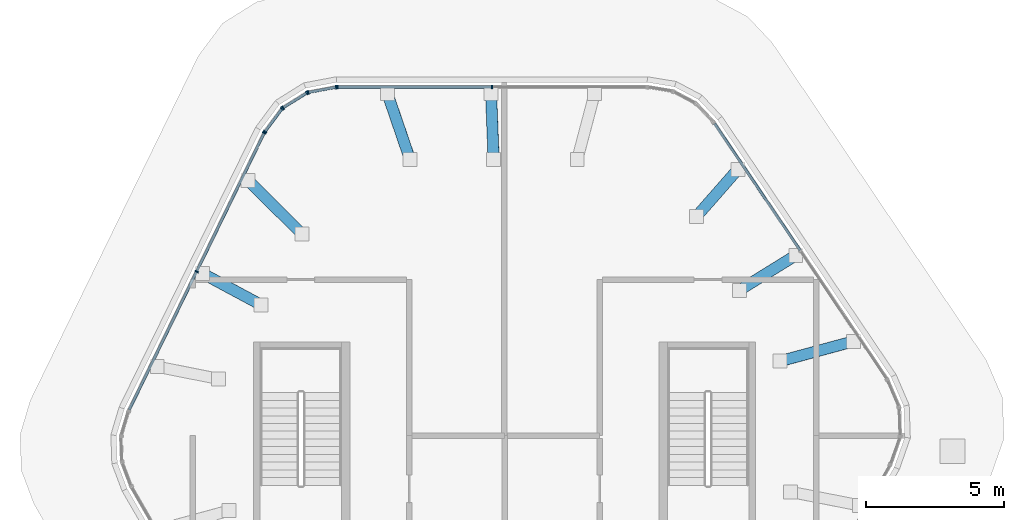
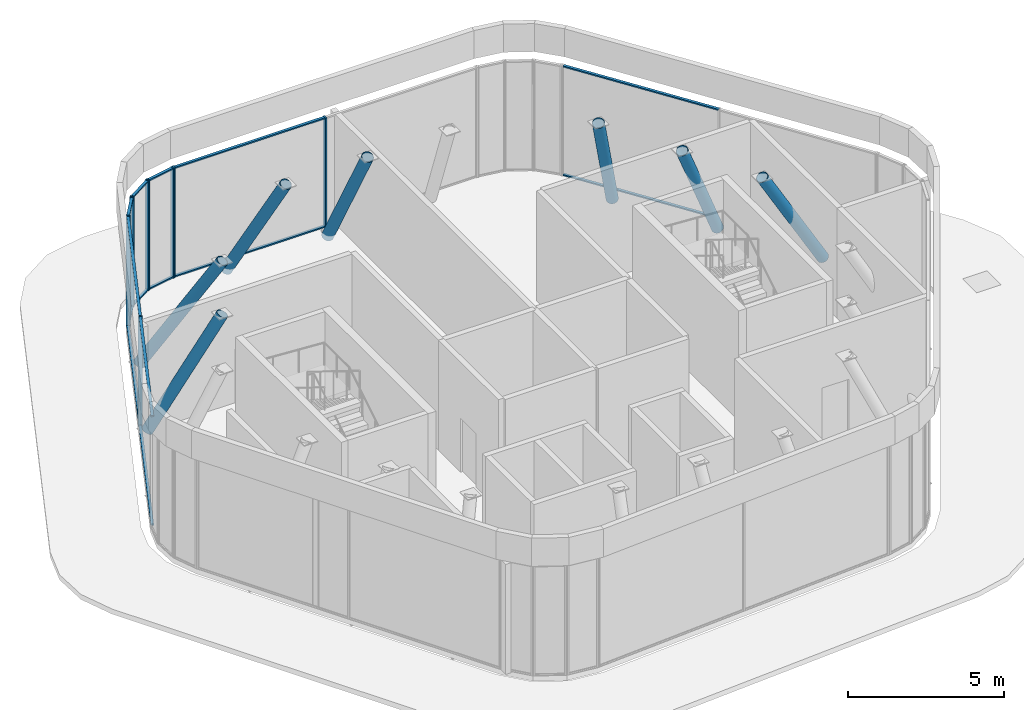
# One storey, part 3 of 9: 31 members, 6 elements without a shape of their own.
"""IFC4 building model written with IfcOpenShell, lengths in metres."""

from ifc_helpers import new_model, si_unit, direction, frame, origin, origin_2d, place, context, subcontext, project, spatial, rectangle, hollow_circle, extrude, material, material_profile, profile_set, type_object, element, aggregate, save


model = new_model("IFC4")

# Units and contexts
model_context = context("Model", 3, precision=1e-05, world=origin(), true_north=direction((0.0, 1.0)))
body_context = subcontext(model_context, "Body", "Model", "MODEL_VIEW")
ifc_project = project(units=[si_unit("LENGTHUNIT", "METRE"), si_unit("AREAUNIT", "SQUARE_METRE"), si_unit("VOLUMEUNIT", "CUBIC_METRE"), si_unit("PLANEANGLEUNIT", "RADIAN"), si_unit("MASSUNIT", "GRAM", prefix="KILO")], contexts=[model_context])

# Site, building, storey
site_placement = place(None, origin())
site = spatial("IfcSite", under=ifc_project, at=site_placement, CompositionType="ELEMENT")
building_placement = place(site_placement, origin())
building = spatial("IfcBuilding", under=site, at=building_placement, Name="Tarnside Tower", CompositionType="ELEMENT")
storey_placement = place(building_placement, frame((0.0, 0.0, 401.699951171875)))
storey = spatial("IfcBuildingStorey", under=building, at=storey_placement, Name="L95", CompositionType="ELEMENT", Elevation=401.699951171875)

# Curtain wall, members
ifc_material_1 = material(Name="Crown glazing wall", Category="glass")
curtain_wall_type = type_object("IfcCurtainWallType", Name="Crown glazing wall", PredefinedType="NOTDEFINED", material=ifc_material_1)
curtain_wall_1_placement = place(storey_placement, origin())
curtain_wall_1 = element("IfcCurtainWall", 1, at=curtain_wall_1_placement, inside=storey, type_object=curtain_wall_type, Name="Crown glazing L95 00", PredefinedType="NOTDEFINED")
ifc_material_2 = material(Name="Aluminium alloy 6063", Category="aluminium")
ifc_material_profile_1 = material_profile(ifc_material_2, rectangle(XDim=0.139892578125, YDim=0.050048828125, at=origin_2d()), Name="Crown glazing mullion 50 x 140")
ifc_profile_set_1 = profile_set([ifc_material_profile_1], Name="Aluminium alloy 6063")
member_type_1 = type_object("IfcMemberType", Name="Crown glazing mullion 50 x 140", PredefinedType="MULLION", material=ifc_profile_set_1)
member_1_placement = place(storey_placement, frame((-6.046875, 12.6298828125, 0.0), z_axis=(0.0, 0.0, 1.0), x_axis=(0.0, 1.0, 0.0)))
member_1 = element("IfcMember", 2, at=member_1_placement, type_object=member_type_1, Name="CW6 mullion 1", PredefinedType="MULLION", context=body_context, shape_type="SweptSolid", body=[
    extrude(rectangle(XDim=0.139892578125, YDim=0.050048828125, at=origin_2d()), origin(), (0.0, 0.0, 1.0), 4.300048828125),
])
member_2_placement = place(storey_placement, frame((-0.452880859375, 12.6298828125, 0.0), z_axis=(0.0, 0.0, 1.0), x_axis=(0.0, 1.0, 0.0)))
member_2 = element("IfcMember", 3, at=member_2_placement, type_object=member_type_1, Name="CW6 mullion 2", PredefinedType="MULLION", context=body_context, shape_type="SweptSolid", body=[
    extrude(rectangle(XDim=0.139892578125, YDim=0.050048828125, at=origin_2d()), origin(), (0.0, 0.0, 1.0), 4.300048828125),
])

curtain_wall_2_placement = place(storey_placement, origin())
curtain_wall_2 = element("IfcCurtainWall", 4, at=curtain_wall_2_placement, inside=storey, type_object=curtain_wall_type, Name="Crown glazing L95 20", PredefinedType="NOTDEFINED")
member_3_placement = place(storey_placement, frame((-11.1533203125, 5.943603515625, 0.0), z_axis=(0.0, 0.0, 1.0), x_axis=(-0.898794046307, 0.438371146773, 0.0)))
member_3 = element("IfcMember", 5, at=member_3_placement, type_object=member_type_1, Name="CW6 mullion 2", PredefinedType="MULLION", context=body_context, shape_type="SweptSolid", body=[
    extrude(rectangle(XDim=0.139892578125, YDim=0.050048828125, at=origin_2d()), origin(), (0.0, 0.0, 1.0), 4.300048828125),
])
member_4_placement = place(storey_placement, frame((-8.700927734375, 10.9716796875, 0.0), z_axis=(0.0, 0.0, 1.0), x_axis=(-0.898794046307, 0.438371146773, 0.0)))
member_4 = element("IfcMember", 6, at=member_4_placement, type_object=member_type_1, Name="CW6 mullion 3", PredefinedType="MULLION", context=body_context, shape_type="SweptSolid", body=[
    extrude(rectangle(XDim=0.139892578125, YDim=0.050048828125, at=origin_2d()), origin(), (0.0, 0.0, 1.0), 4.300048828125),
])

curtain_wall_3_placement = place(storey_placement, origin())
curtain_wall_3 = element("IfcCurtainWall", 7, at=curtain_wall_3_placement, inside=storey, type_object=curtain_wall_type, Name="Crown glazing L95 21", PredefinedType="NOTDEFINED")
member_5_placement = place(storey_placement, frame((-8.675048828125, 11.01416015625, 0.0), z_axis=(0.0, 0.0, 1.0), x_axis=(-0.802123192699, 0.597158591777, 0.0)))
member_5 = element("IfcMember", 8, at=member_5_placement, type_object=member_type_1, Name="CW6 mullion 1", PredefinedType="MULLION", context=body_context, shape_type="SweptSolid", body=[
    extrude(rectangle(XDim=0.139892578125, YDim=0.050048828125, at=origin_2d()), origin(), (0.0, 0.0, 1.0), 4.300048828125),
])
member_6_placement = place(storey_placement, frame((-8.056640625, 11.8447265625, 0.0), z_axis=(0.0, 0.0, 1.0), x_axis=(-0.802123192699, 0.597158591777, 0.0)))
member_6 = element("IfcMember", 9, at=member_6_placement, type_object=member_type_1, Name="CW6 mullion 2", PredefinedType="MULLION", context=body_context, shape_type="SweptSolid", body=[
    extrude(rectangle(XDim=0.139892578125, YDim=0.050048828125, at=origin_2d()), origin(), (0.0, 0.0, 1.0), 4.300048828125),
])

curtain_wall_4_placement = place(storey_placement, origin())
curtain_wall_4 = element("IfcCurtainWall", 10, at=curtain_wall_4_placement, inside=storey, type_object=curtain_wall_type, Name="Crown glazing L95 22", PredefinedType="NOTDEFINED")
member_7_placement = place(storey_placement, frame((-8.0205078125, 11.878173828125, 0.0), z_axis=(0.0, 0.0, 1.0), x_axis=(-0.529919264396, 0.848048096055, 0.0)))
member_7 = element("IfcMember", 11, at=member_7_placement, type_object=member_type_1, Name="CW6 mullion 1", PredefinedType="MULLION", context=body_context, shape_type="SweptSolid", body=[
    extrude(rectangle(XDim=0.139892578125, YDim=0.050048828125, at=origin_2d()), origin(), (0.0, 0.0, 1.0), 4.300048828125),
])
member_8_placement = place(storey_placement, frame((-7.159912109375, 12.415771484375, 0.0), z_axis=(0.0, 0.0, 1.0), x_axis=(-0.529919264396, 0.848048096055, 0.0)))
member_8 = element("IfcMember", 12, at=member_8_placement, type_object=member_type_1, Name="CW6 mullion 2", PredefinedType="MULLION", context=body_context, shape_type="SweptSolid", body=[
    extrude(rectangle(XDim=0.139892578125, YDim=0.050048828125, at=origin_2d()), origin(), (0.0, 0.0, 1.0), 4.300048828125),
])

curtain_wall_5_placement = place(storey_placement, origin())
curtain_wall_5 = element("IfcCurtainWall", 13, at=curtain_wall_5_placement, inside=storey, type_object=curtain_wall_type, Name="Crown glazing L95 23", PredefinedType="NOTDEFINED")
member_9_placement = place(storey_placement, frame((-7.1142578125, 12.43359375, 0.0), z_axis=(0.0, 0.0, 1.0), x_axis=(-0.185094922725, 0.982720646767, 0.0)))
member_9 = element("IfcMember", 14, at=member_9_placement, type_object=member_type_1, Name="CW6 mullion 1", PredefinedType="MULLION", context=body_context, shape_type="SweptSolid", body=[
    extrude(rectangle(XDim=0.139892578125, YDim=0.050048828125, at=origin_2d()), origin(), (0.0, 0.0, 1.0), 4.300048828125),
])
member_10_placement = place(storey_placement, frame((-6.096435546875, 12.62548828125, 0.0), z_axis=(0.0, 0.0, 1.0), x_axis=(-0.185094922725, 0.982720646767, 0.0)))
member_10 = element("IfcMember", 15, at=member_10_placement, type_object=member_type_1, Name="CW6 mullion 2", PredefinedType="MULLION", context=body_context, shape_type="SweptSolid", body=[
    extrude(rectangle(XDim=0.139892578125, YDim=0.050048828125, at=origin_2d()), origin(), (0.0, 0.0, 1.0), 4.300048828125),
])

# Member
ifc_material_profile_2 = material_profile(ifc_material_2, rectangle(XDim=0.10009765625, YDim=0.050048828125, at=origin_2d()), Name="Crown glazing transom 50 x 100")
ifc_profile_set_2 = profile_set([ifc_material_profile_2], Name="Aluminium alloy 6063")
member_type_2 = type_object("IfcMemberType", Name="Crown glazing transom 50 x 100", PredefinedType="USERDEFINED", material=ifc_profile_set_2)
member_11_placement = place(storey_placement, frame((-6.02197265625, 12.6298828125, 0.025146484375), z_axis=(1.0, 0.0, 0.0), x_axis=(0.0, 1.0, 0.0)))
member_11 = element("IfcMember", 16, at=member_11_placement, type_object=member_type_2, Name="CW6 transom 1.1", ObjectType="TRANSOM", PredefinedType="USERDEFINED", context=body_context, shape_type="SweptSolid", body=[
    extrude(rectangle(XDim=0.10009765625, YDim=0.050048828125, at=origin_2d()), origin(), (0.0, 0.0, 1.0), 5.544189453125),
])

member_12_placement = place(storey_placement, frame((-6.02197265625, 12.6298828125, 4.275146484375), z_axis=(1.0, 0.0, 0.0), x_axis=(0.0, 1.0, 0.0)))
member_12 = element("IfcMember", 17, at=member_12_placement, type_object=member_type_2, Name="CW6 transom 1.2", ObjectType="TRANSOM", PredefinedType="USERDEFINED", context=body_context, shape_type="SweptSolid", body=[
    extrude(rectangle(XDim=0.10009765625, YDim=0.050048828125, at=origin_2d()), origin(), (0.0, 0.0, 1.0), 5.544189453125),
])

aggregate(curtain_wall_1, [member_1, member_2, member_11, member_12])

# Curtain wall, members
curtain_wall_6_placement = place(storey_placement, origin())
curtain_wall_6 = element("IfcCurtainWall", 18, at=curtain_wall_6_placement, inside=storey, type_object=curtain_wall_type, Name="Crown glazing L95 04", PredefinedType="NOTDEFINED")
member_13_placement = place(storey_placement, frame((7.60986328125, 11.30419921875, 0.025146484375), z_axis=(0.55918390394, -0.829043642744, 0.0), x_axis=(0.829043642744, 0.55918390394, 0.0)))
member_13 = element("IfcMember", 19, at=member_13_placement, type_object=member_type_2, Name="CW6 transom 1.1", ObjectType="TRANSOM", PredefinedType="USERDEFINED", context=body_context, shape_type="SweptSolid", body=[
    extrude(rectangle(XDim=0.10009765625, YDim=0.050048828125, at=origin_2d()), origin(), (0.0, 0.0, 1.0), 5.5439453125),
])
member_14_placement = place(storey_placement, frame((7.60986328125, 11.30419921875, 4.275146484375), z_axis=(0.55918390394, -0.829043642744, 0.0), x_axis=(0.829043642744, 0.55918390394, 0.0)))
member_14 = element("IfcMember", 20, at=member_14_placement, type_object=member_type_2, Name="CW6 transom 1.2", ObjectType="TRANSOM", PredefinedType="USERDEFINED", context=body_context, shape_type="SweptSolid", body=[
    extrude(rectangle(XDim=0.10009765625, YDim=0.050048828125, at=origin_2d()), origin(), (0.0, 0.0, 1.0), 5.5439453125),
])
aggregate(curtain_wall_6, [member_13, member_14])

# Member
member_15_placement = place(storey_placement, frame((-13.594482421875, 0.938232421875, 0.025146484375), z_axis=(0.438349014397, 0.898804840651, 0.0), x_axis=(-0.898804840651, 0.438349014397, 0.0)))
member_15 = element("IfcMember", 21, at=member_15_placement, type_object=member_type_2, Name="CW6 transom 1.1", ObjectType="TRANSOM", PredefinedType="USERDEFINED", context=body_context, shape_type="SweptSolid", body=[
    extrude(rectangle(XDim=0.10009765625, YDim=0.050048828125, at=origin_2d()), origin(), (0.0, 0.0, 1.0), 5.5439453125),
])

member_16_placement = place(storey_placement, frame((-13.594482421875, 0.938232421875, 4.275146484375), z_axis=(0.438349014397, 0.898804840651, 0.0), x_axis=(-0.898804840651, 0.438349014397, 0.0)))
member_16 = element("IfcMember", 22, at=member_16_placement, type_object=member_type_2, Name="CW6 transom 1.2", ObjectType="TRANSOM", PredefinedType="USERDEFINED", context=body_context, shape_type="SweptSolid", body=[
    extrude(rectangle(XDim=0.10009765625, YDim=0.050048828125, at=origin_2d()), origin(), (0.0, 0.0, 1.0), 5.5439453125),
])

member_17_placement = place(storey_placement, frame((-11.142333984375, 5.966064453125, 0.025146484375), z_axis=(0.438367238579, 0.89879595245, 0.0), x_axis=(-0.89879595245, 0.438367238579, 0.0)))
member_17 = element("IfcMember", 23, at=member_17_placement, type_object=member_type_2, Name="CW6 transom 2.1", ObjectType="TRANSOM", PredefinedType="USERDEFINED", context=body_context, shape_type="SweptSolid", body=[
    extrude(rectangle(XDim=0.10009765625, YDim=0.050048828125, at=origin_2d()), origin(), (0.0, 0.0, 1.0), 5.544189453125),
])

member_18_placement = place(storey_placement, frame((-11.142333984375, 5.966064453125, 4.275146484375), z_axis=(0.438367238579, 0.89879595245, 0.0), x_axis=(-0.89879595245, 0.438367238579, 0.0)))
member_18 = element("IfcMember", 24, at=member_18_placement, type_object=member_type_2, Name="CW6 transom 2.2", ObjectType="TRANSOM", PredefinedType="USERDEFINED", context=body_context, shape_type="SweptSolid", body=[
    extrude(rectangle(XDim=0.10009765625, YDim=0.050048828125, at=origin_2d()), origin(), (0.0, 0.0, 1.0), 5.544189453125),
])

aggregate(curtain_wall_2, [member_3, member_4, member_15, member_16, member_17, member_18])

member_19_placement = place(storey_placement, frame((-8.66015625, 11.0341796875, 0.025146484375), z_axis=(0.597222071392, 0.802075929973, 0.0), x_axis=(-0.802075929973, 0.597222071392, 0.0)))
member_19 = element("IfcMember", 25, at=member_19_placement, type_object=member_type_2, Name="CW6 transom 1.1", ObjectType="TRANSOM", PredefinedType="USERDEFINED", context=body_context, shape_type="SweptSolid", body=[
    extrude(rectangle(XDim=0.10009765625, YDim=0.050048828125, at=origin_2d()), origin(), (0.0, 0.0, 1.0), 0.985595703125),
])

member_20_placement = place(storey_placement, frame((-8.66015625, 11.0341796875, 4.275146484375), z_axis=(0.597222071392, 0.802075929973, 0.0), x_axis=(-0.802075929973, 0.597222071392, 0.0)))
member_20 = element("IfcMember", 26, at=member_20_placement, type_object=member_type_2, Name="CW6 transom 1.2", ObjectType="TRANSOM", PredefinedType="USERDEFINED", context=body_context, shape_type="SweptSolid", body=[
    extrude(rectangle(XDim=0.10009765625, YDim=0.050048828125, at=origin_2d()), origin(), (0.0, 0.0, 1.0), 0.985595703125),
])

aggregate(curtain_wall_3, [member_5, member_6, member_19, member_20])

member_21_placement = place(storey_placement, frame((-7.999267578125, 11.891357421875, 0.025146484375), z_axis=(0.848040953676, 0.529930694419, 0.0), x_axis=(-0.529930694419, 0.848040953676, 0.0)))
member_21 = element("IfcMember", 27, at=member_21_placement, type_object=member_type_2, Name="CW6 transom 1.1", ObjectType="TRANSOM", PredefinedType="USERDEFINED", context=body_context, shape_type="SweptSolid", body=[
    extrude(rectangle(XDim=0.10009765625, YDim=0.050048828125, at=origin_2d()), origin(), (0.0, 0.0, 1.0), 0.964599609375),
])

member_22_placement = place(storey_placement, frame((-7.999267578125, 11.891357421875, 4.275146484375), z_axis=(0.848040953676, 0.529930694419, 0.0), x_axis=(-0.529930694419, 0.848040953676, 0.0)))
member_22 = element("IfcMember", 28, at=member_22_placement, type_object=member_type_2, Name="CW6 transom 1.2", ObjectType="TRANSOM", PredefinedType="USERDEFINED", context=body_context, shape_type="SweptSolid", body=[
    extrude(rectangle(XDim=0.10009765625, YDim=0.050048828125, at=origin_2d()), origin(), (0.0, 0.0, 1.0), 0.964599609375),
])

aggregate(curtain_wall_4, [member_7, member_8, member_21, member_22])

member_23_placement = place(storey_placement, frame((-7.089599609375, 12.438232421875, 0.025146484375), z_axis=(0.982683786926, 0.185290514903, 0.0), x_axis=(-0.185290514903, 0.982683786926, 0.0)))
member_23 = element("IfcMember", 29, at=member_23_placement, type_object=member_type_2, Name="CW6 transom 1.1", ObjectType="TRANSOM", PredefinedType="USERDEFINED", context=body_context, shape_type="SweptSolid", body=[
    extrude(rectangle(XDim=0.10009765625, YDim=0.050048828125, at=origin_2d()), origin(), (0.0, 0.0, 1.0), 0.985595703125),
])

member_24_placement = place(storey_placement, frame((-7.089599609375, 12.438232421875, 4.275146484375), z_axis=(0.982683786926, 0.185290514903, 0.0), x_axis=(-0.185290514903, 0.982683786926, 0.0)))
member_24 = element("IfcMember", 30, at=member_24_placement, type_object=member_type_2, Name="CW6 transom 1.2", ObjectType="TRANSOM", PredefinedType="USERDEFINED", context=body_context, shape_type="SweptSolid", body=[
    extrude(rectangle(XDim=0.10009765625, YDim=0.050048828125, at=origin_2d()), origin(), (0.0, 0.0, 1.0), 0.985595703125),
])

aggregate(curtain_wall_5, [member_9, member_10, member_23, member_24])

# Members
ifc_material_3 = material(Name="Steel S355", Category="steel")
ifc_material_profile_3 = material_profile(ifc_material_3, hollow_circle(Radius=0.203125, WallThickness=0.01611328125, at=origin_2d()), Name="CHS 406.4x16")
ifc_profile_set_3 = profile_set([ifc_material_profile_3], Name="Steel S355")
member_type_3 = type_object("IfcMemberType", Name="Truss diagonal CHS 406.4x16", PredefinedType="BRACE", material=ifc_profile_set_3)
member_25_placement = place(storey_placement, frame((-0.48583984375, 12.39990234375, -0.199951171875), z_axis=(0.018427260311, -0.470493425613, 0.882211070284), x_axis=(0.999233900577, 0.03913581401, 0.0)))
element("IfcMember", 31, at=member_25_placement, inside=storey, type_object=member_type_3, Name="Crown leg L95 2", PredefinedType="BRACE", context=body_context, shape_type="SweptSolid", body=[
    extrude(hollow_circle(Radius=0.203125, WallThickness=0.01611328125, at=origin_2d()), origin(), (0.0, 0.0, 1.0), 5.100830078125),
])
member_26_placement = place(storey_placement, frame((-4.2412109375, 12.39990234375, -0.199951171875), z_axis=(0.158944071596, -0.46459120541, 0.871143957082), x_axis=(0.946160881919, 0.323696749328, 0.0)))
element("IfcMember", 32, at=member_26_placement, inside=storey, type_object=member_type_3, Name="Crown leg L95 3", PredefinedType="BRACE", context=body_context, shape_type="SweptSolid", body=[
    extrude(hollow_circle(Radius=0.203125, WallThickness=0.01611328125, at=origin_2d()), origin(), (0.0, 0.0, 1.0), 5.16552734375),
])
member_27_placement = place(storey_placement, frame((-9.285888671875, 9.247802734375, -0.199951171875), z_axis=(0.370279999478, -0.368753548512, 0.852592248643), x_axis=(0.705644768775, 0.708565776975, 0.0)))
element("IfcMember", 33, at=member_27_placement, inside=storey, type_object=member_type_3, Name="Crown leg L95 4", PredefinedType="BRACE", context=body_context, shape_type="SweptSolid", body=[
    extrude(hollow_circle(Radius=0.203125, WallThickness=0.01611328125, at=origin_2d()), origin(), (0.0, 0.0, 1.0), 5.278076171875),
])
member_28_placement = place(storey_placement, frame((-10.93212890625, 5.87255859375, -0.199951171875), z_axis=(0.415194139254, -0.223028683077, 0.881970539901), x_axis=(0.473215650378, 0.880946620538, 0.0)))
element("IfcMember", 34, at=member_28_placement, inside=storey, type_object=member_type_3, Name="Crown leg L95 5", PredefinedType="BRACE", context=body_context, shape_type="SweptSolid", body=[
    extrude(hollow_circle(Radius=0.203125, WallThickness=0.01611328125, at=origin_2d()), origin(), (0.0, 0.0, 1.0), 5.102294921875),
])
member_29_placement = place(storey_placement, frame((12.651611328125, 3.41796875, -0.199951171875), z_axis=(-0.504472782581, -0.136317741635, 0.852598783104), x_axis=(0.260862204961, -0.965376045913, 0.0)))
element("IfcMember", 35, at=member_29_placement, inside=storey, type_object=member_type_3, Name="Crown leg L95 16", PredefinedType="BRACE", context=body_context, shape_type="SweptSolid", body=[
    extrude(hollow_circle(Radius=0.203125, WallThickness=0.01611328125, at=origin_2d()), origin(), (0.0, 0.0, 1.0), 5.278076171875),
])
member_30_placement = place(storey_placement, frame((10.5517578125, 6.53125, -0.199951171875), z_axis=(-0.400739045903, -0.248099337672, 0.881960847054), x_axis=(0.526389564235, -0.850243510216, 0.0)))
element("IfcMember", 36, at=member_30_placement, inside=storey, type_object=member_type_3, Name="Crown leg L95 17", PredefinedType="BRACE", context=body_context, shape_type="SweptSolid", body=[
    extrude(hollow_circle(Radius=0.203125, WallThickness=0.01611328125, at=origin_2d()), origin(), (0.0, 0.0, 1.0), 5.102294921875),
])
member_31_placement = place(storey_placement, frame((8.451904296875, 9.644287109375, -0.199951171875), z_axis=(-0.296028615323, -0.337764432875, 0.89346642175), x_axis=(0.752041582545, -0.659115663691, 0.0)))
element("IfcMember", 37, at=member_31_placement, inside=storey, type_object=member_type_3, Name="Crown leg L95 18", PredefinedType="BRACE", context=body_context, shape_type="SweptSolid", body=[
    extrude(hollow_circle(Radius=0.203125, WallThickness=0.01611328125, at=origin_2d()), origin(), (0.0, 0.0, 1.0), 5.03662109375),
])

save(model, "model.ifc")
